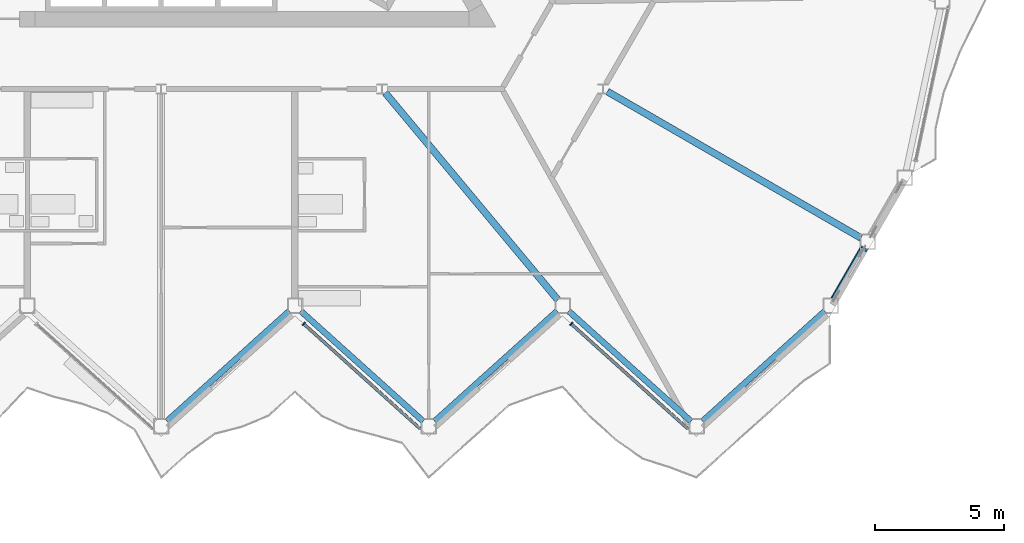
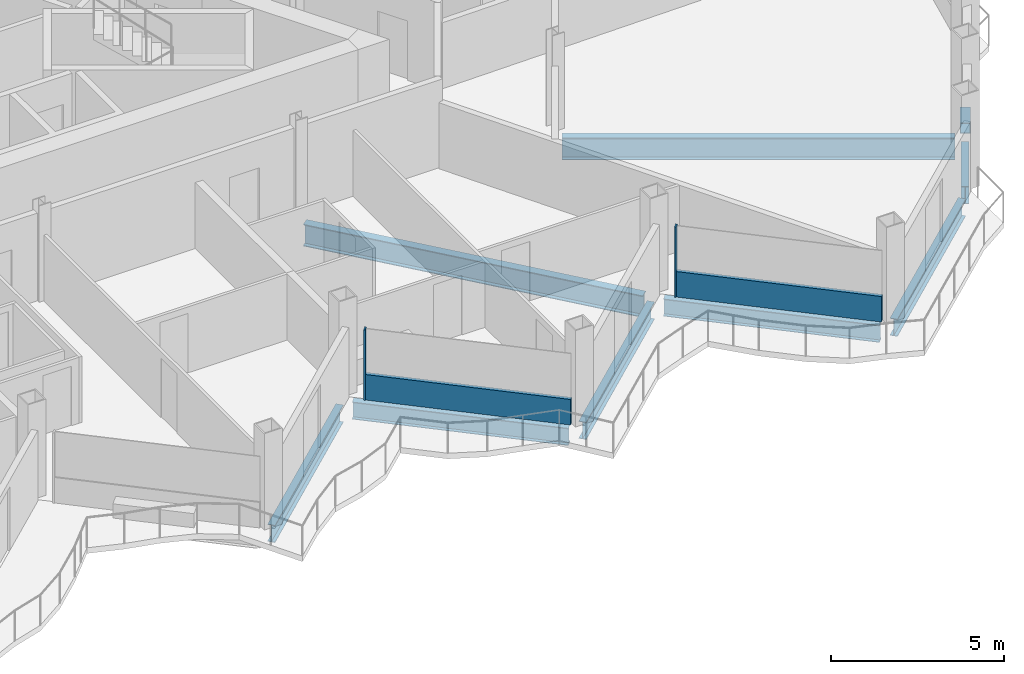
# One storey, part 7 of 26: 8 beams, 5 members, 2 elements without a shape of their own.
"""IFC4 building model written with IfcOpenShell, lengths in metres."""

from ifc_helpers import new_model, si_unit, direction, frame, origin, origin_2d, place, context, subcontext, project, spatial, rectangle, hollow_rectangle, i_section, extrude, material, layer, layer_set, material_profile, profile_set, type_object, element, aggregate, save


model = new_model("IFC4")

# Units and contexts
model_context = context("Model", 3, precision=1e-05, world=origin(), true_north=direction((0.0, 1.0)))
body_context = subcontext(model_context, "Body", "Model", "MODEL_VIEW")
ifc_project = project(units=[si_unit("LENGTHUNIT", "METRE"), si_unit("AREAUNIT", "SQUARE_METRE"), si_unit("VOLUMEUNIT", "CUBIC_METRE"), si_unit("PLANEANGLEUNIT", "RADIAN"), si_unit("MASSUNIT", "GRAM", prefix="KILO")], contexts=[model_context])

# Site, building, storey
site_placement = place(None, origin())
site = spatial("IfcSite", under=ifc_project, at=site_placement, CompositionType="ELEMENT")
building_placement = place(site_placement, origin())
building = spatial("IfcBuilding", under=site, at=building_placement, Name="Cormorant Prow Tower", CompositionType="ELEMENT")
storey_placement = place(building_placement, frame((0.0, 0.0, 322.199951171875)))
storey = spatial("IfcBuildingStorey", under=building, at=storey_placement, Name="L71", CompositionType="ELEMENT", Elevation=322.199951171875)

# Member
ifc_material_1 = material(Name="Structural steel ASTM A500 Gr C", Category="steel")
ifc_material_profile_1 = material_profile(ifc_material_1, hollow_rectangle(XDim=0.3046875, YDim=0.3046875, WallThickness=0.01171875, at=origin_2d()), Name="HSS12x12x1/2")
ifc_profile_set_1 = profile_set([ifc_material_profile_1], Name="Structural steel ASTM A500 Gr C")
member_type_1 = type_object("IfcMemberType", Name="Chamfer brace HSS12x12x1/2", PredefinedType="BRACE", material=ifc_profile_set_1)
member_1_placement = place(storey_placement, frame((27.27490234375, -16.110595703125, 0.7412109375), z_axis=(-0.456265706889, -0.790324476185, 0.408911759503), x_axis=(0.866038851724, -0.499976706761, 0.0)))
element("IfcMember", 1, at=member_1_placement, inside=storey, type_object=member_type_1, Name="Chamfer brace BR3 at ESE00 L71", PredefinedType="BRACE", context=body_context, shape_type="SweptSolid", body=[
    extrude(hollow_rectangle(XDim=0.3046875, YDim=0.3046875, WallThickness=0.01171875, at=origin_2d()), origin(), (0.0, 0.0, 1.0), 2.459228515625),
])

# Beams
ifc_material_2 = material(Name="Structural steel ASTM A992 Gr 50", Category="steel")
ifc_material_profile_2 = material_profile(ifc_material_2, i_section(OverallWidth=0.267822265625, OverallDepth=0.77001953125, WebThickness=0.015625, FlangeThickness=0.025390625, at=origin_2d()), Name="W30x132")
ifc_profile_set_2 = profile_set([ifc_material_profile_2], Name="Structural steel ASTM A992 Gr 50")
beam_type_1 = type_object("IfcBeamType", Name="Radial floor beam W30x132", PredefinedType="BEAM", material=ifc_profile_set_2)
beam_1_placement = place(storey_placement, frame((8.705078125, -10.057373046875, -0.684814453125), z_axis=(0.640239469619, -0.768175384624, 0.0), x_axis=(0.768175384624, 0.640239469619, 0.0)))
element("IfcBeam", 2, at=beam_1_placement, inside=storey, type_object=beam_type_1, Name="Radial floor beam FB3 8 L71", PredefinedType="BEAM", context=body_context, shape_type="SweptSolid", body=[
    extrude(i_section(OverallWidth=0.267822265625, OverallDepth=0.77001953125, WebThickness=0.015625, FlangeThickness=0.025390625, at=origin_2d()), origin(), (0.0, 0.0, 1.0), 10.465087890625),
])
beam_2_placement = place(storey_placement, frame((17.328125, -10.00439453125, -0.684814453125), z_axis=(0.866024637028, -0.500001328059, 0.0), x_axis=(0.500001328059, 0.866024637028, 0.0)))
element("IfcBeam", 3, at=beam_2_placement, inside=storey, type_object=beam_type_1, Name="Radial floor beam FB3 9 L71", PredefinedType="BEAM", context=body_context, shape_type="SweptSolid", body=[
    extrude(i_section(OverallWidth=0.267822265625, OverallDepth=0.77001953125, WebThickness=0.015625, FlangeThickness=0.025390625, at=origin_2d()), origin(), (0.0, 0.0, 1.0), 11.3671875),
])

# Curtain wall, member
ifc_material_3 = material(Name="Aluminium 6063-T6", Category="aluminium")
ifc_layer = layer(ifc_material_3, 0.159912109375)
ifc_layer_set = layer_set([ifc_layer], Name="Aluminium 6063-T6")
curtain_wall_type = type_object("IfcCurtainWallType", Name="Residential unitised curtain wall 160", PredefinedType="NOTDEFINED", material=ifc_layer_set)
curtain_wall_1_placement = place(storey_placement, origin())
curtain_wall_1 = element("IfcCurtainWall", 4, at=curtain_wall_1_placement, inside=storey, type_object=curtain_wall_type, Name="Residential curtain wall S06", PredefinedType="NOTDEFINED")
ifc_material_4 = material(Name="Aluminium 6063-T6", Category="aluminium")
ifc_material_profile_3 = material_profile(ifc_material_4, rectangle(XDim=0.159912109375, YDim=0.050048828125, at=origin_2d()), Name="Residential mullion 50x160")
ifc_profile_set_3 = profile_set([ifc_material_profile_3], Name="Aluminium 6063-T6")
member_type_2 = type_object("IfcMemberType", Name="Residential mullion 50x160", PredefinedType="MULLION", material=ifc_profile_set_3)
member_2_placement = place(storey_placement, frame((5.535888671875, -19.025146484375, 0.0), z_axis=(0.0, 0.0, 1.0), x_axis=(0.669130654479, 0.74314478215, 0.0)))
member_2 = element("IfcMember", 5, at=member_2_placement, type_object=member_type_2, Name="Residential mullion S06", PredefinedType="MULLION", context=body_context, shape_type="SweptSolid", body=[
    extrude(rectangle(XDim=0.159912109375, YDim=0.050048828125, at=origin_2d()), origin(), (0.0, 0.0, 1.0), 2.488037109375),
])

curtain_wall_2_placement = place(storey_placement, origin())
curtain_wall_2 = element("IfcCurtainWall", 6, at=curtain_wall_2_placement, inside=storey, type_object=curtain_wall_type, Name="Residential curtain wall S08", PredefinedType="NOTDEFINED")
member_3_placement = place(storey_placement, frame((15.92529296875, -19.025146484375, 0.0), z_axis=(0.0, 0.0, 1.0), x_axis=(0.669130654479, 0.74314478215, 0.0)))
member_3 = element("IfcMember", 7, at=member_3_placement, type_object=member_type_2, Name="Residential mullion S08", PredefinedType="MULLION", context=body_context, shape_type="SweptSolid", body=[
    extrude(rectangle(XDim=0.159912109375, YDim=0.050048828125, at=origin_2d()), origin(), (0.0, 0.0, 1.0), 2.488037109375),
])

# Member
ifc_material_5 = material(Name="Terracotta", Category="masonry")
ifc_material_profile_4 = material_profile(ifc_material_5, rectangle(XDim=0.1201171875, YDim=0.89990234375, at=origin_2d()), Name="Residential terracotta spandrel rail 120x900")
ifc_profile_set_4 = profile_set([ifc_material_profile_4], Name="Terracotta")
member_type_3 = type_object("IfcMemberType", Name="Residential terracotta spandrel rail 120x900", PredefinedType="USERDEFINED", material=ifc_profile_set_4)
member_4_placement = place(storey_placement, frame((5.554443359375, -19.0419921875, 0.449951171875), z_axis=(0.74314818338, -0.669126877012, 0.0), x_axis=(0.669126877012, 0.74314818338, 0.0)))
member_4 = element("IfcMember", 8, at=member_4_placement, type_object=member_type_3, Name="Residential spandrel rail S06", ObjectType="TRANSOM", PredefinedType="USERDEFINED", context=body_context, shape_type="SweptSolid", body=[
    extrude(rectangle(XDim=0.1201171875, YDim=0.89990234375, at=origin_2d()), origin(), (0.0, 0.0, 1.0), 6.072021484375),
])

aggregate(curtain_wall_1, [member_2, member_4])

member_5_placement = place(storey_placement, frame((15.94384765625, -19.0419921875, 0.449951171875), z_axis=(0.74314818338, -0.669126877012, 0.0), x_axis=(0.669126877012, 0.74314818338, 0.0)))
member_5 = element("IfcMember", 9, at=member_5_placement, type_object=member_type_3, Name="Residential spandrel rail S08", ObjectType="TRANSOM", PredefinedType="USERDEFINED", context=body_context, shape_type="SweptSolid", body=[
    extrude(rectangle(XDim=0.1201171875, YDim=0.89990234375, at=origin_2d()), origin(), (0.0, 0.0, 1.0), 6.072021484375),
])

aggregate(curtain_wall_2, [member_3, member_5])

# Beams
ifc_material_6 = material(Name="Structural steel ASTM A992 Gr 50", Category="steel")
ifc_material_profile_5 = material_profile(ifc_material_6, i_section(OverallWidth=0.22900390625, OverallDepth=0.612060546875, WebThickness=0.011962890625, FlangeThickness=0.01953125, at=origin_2d()), Name="W24x84")
ifc_profile_set_5 = profile_set([ifc_material_profile_5], Name="Structural steel ASTM A992 Gr 50")
beam_type_2 = type_object("IfcBeamType", Name="Spandrel beam W24x84", PredefinedType="SPANDREL", material=ifc_profile_set_5)
for number, where, z_axis, x_axis, name in (
    (10, (0.222900390625, -22.807373046875, -0.60595703125), (0.743144186555, 0.669131315954, 0.0), (-0.669131315954, 0.743144186555, 0.0), "Spandrel beam SB3 S05-S06 L71"),
    (11, (5.422119140625, -18.527587890625, -0.60595703125), (0.743144186555, -0.669131315954, 0.0), (0.669131315954, 0.743144186555, 0.0), "Spandrel beam SB3 S06-S07 L71"),
    (12, (10.62109375, -22.807373046875, -0.60595703125), (0.743144186555, 0.669131315954, 0.0), (-0.669131315954, 0.743144186555, 0.0), "Spandrel beam SB3 S07-S08 L71"),
):
    element("IfcBeam", number, at=place(storey_placement, frame(where, z_axis=z_axis, x_axis=x_axis)), inside=storey, type_object=beam_type_2, Name=name, PredefinedType="SPANDREL", context=body_context, shape_type="SweptSolid", body=[
        extrude(i_section(OverallWidth=0.22900390625, OverallDepth=0.612060546875, WebThickness=0.011962890625, FlangeThickness=0.01953125, at=origin_2d()), origin(), (0.0, 0.0, 1.0), 6.39599609375),
    ])
beam_3_placement = place(storey_placement, frame((15.820068359375, -18.527587890625, -0.60595703125), z_axis=(0.743161276225, -0.669112335502, 0.0), x_axis=(0.669112335502, 0.743161276225, 0.0)))
element("IfcBeam", 13, at=beam_3_placement, inside=storey, type_object=beam_type_2, Name="Spandrel beam SB3 S08-S09 L71", PredefinedType="SPANDREL", context=body_context, shape_type="SweptSolid", body=[
    extrude(i_section(OverallWidth=0.22900390625, OverallDepth=0.612060546875, WebThickness=0.011962890625, FlangeThickness=0.01953125, at=origin_2d()), origin(), (0.0, 0.0, 1.0), 6.396240234375),
])
beam_4_placement = place(storey_placement, frame((21.019287109375, -22.807373046875, -0.60595703125), z_axis=(0.743144186555, 0.669131315954, 0.0), x_axis=(-0.669131315954, 0.743144186555, 0.0)))
element("IfcBeam", 14, at=beam_4_placement, inside=storey, type_object=beam_type_2, Name="Spandrel beam SB3 S09-ESE00 L71", PredefinedType="SPANDREL", context=body_context, shape_type="SweptSolid", body=[
    extrude(i_section(OverallWidth=0.22900390625, OverallDepth=0.612060546875, WebThickness=0.011962890625, FlangeThickness=0.01953125, at=origin_2d()), origin(), (0.0, 0.0, 1.0), 6.39599609375),
])
beam_5_placement = place(storey_placement, frame((26.1455078125, -18.06689453125, -0.60595703125), z_axis=(0.49997342893, 0.866040744055, 0.0), x_axis=(-0.866040744055, 0.49997342893, 0.0)))
element("IfcBeam", 15, at=beam_5_placement, inside=storey, type_object=beam_type_2, Name="Spandrel beam SB3 ESE00-ESE01 L71", PredefinedType="SPANDREL", context=body_context, shape_type="SweptSolid", body=[
    extrude(i_section(OverallWidth=0.22900390625, OverallDepth=0.612060546875, WebThickness=0.011962890625, FlangeThickness=0.01953125, at=origin_2d()), origin(), (0.0, 0.0, 1.0), 2.2734375),
])

save(model, "model.ifc")
